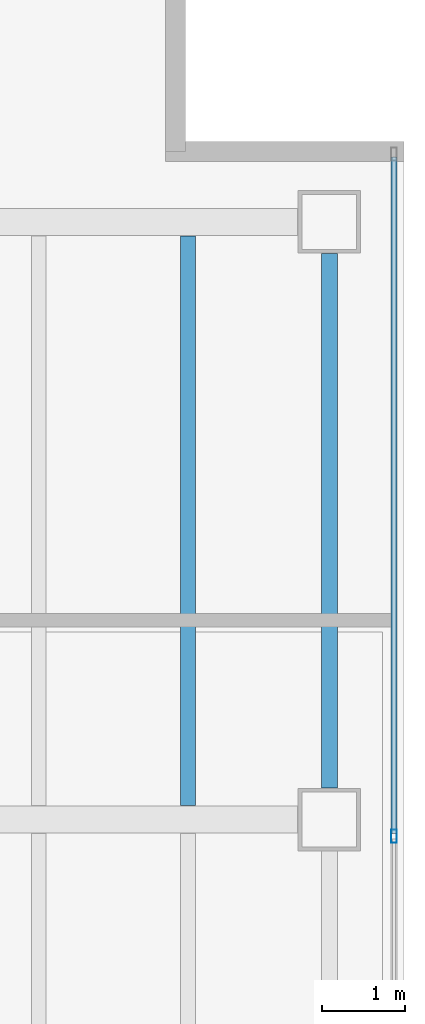
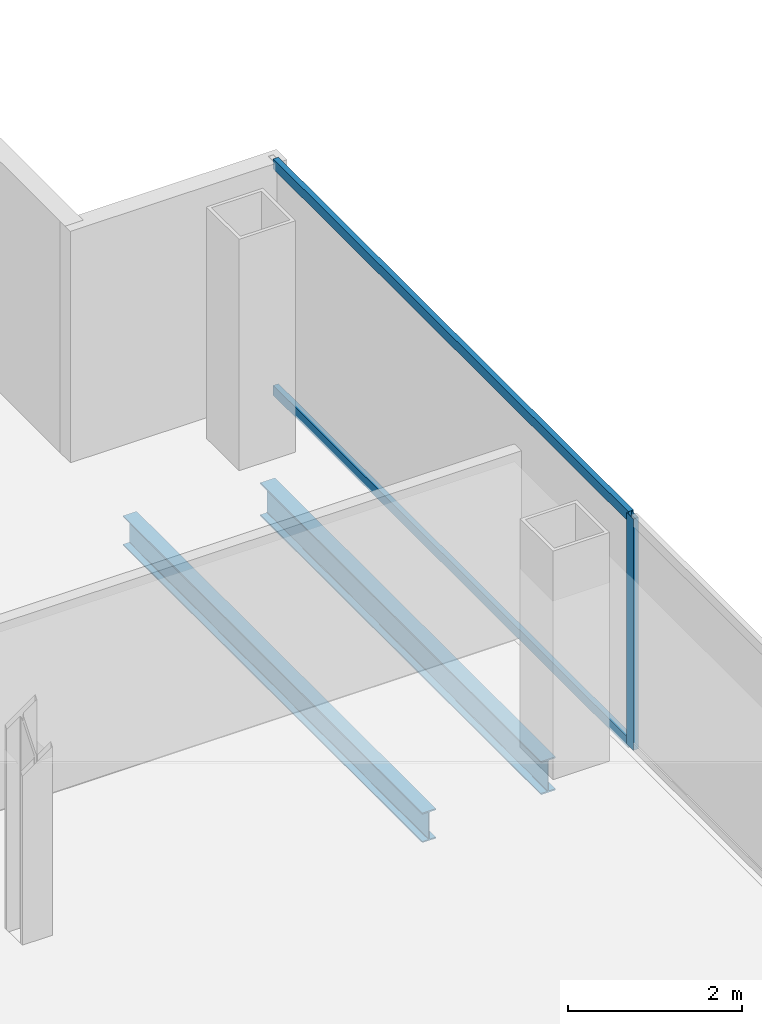
# One storey, part 14 of 23: 3 members, 2 beams, 1 element without a shape of its own.
"""IFC4 building model written with IfcOpenShell, lengths in metres."""

from ifc_helpers import new_model, si_unit, direction, frame, origin, origin_2d, place, context, subcontext, project, spatial, hollow_rectangle, i_section, extrude, material, material_profile, profile_set, type_object, element, aggregate, save


model = new_model("IFC4")

# Units and contexts
model_context = context("Model", 3, precision=1e-05, world=origin(), true_north=direction((0.0, 1.0)))
body_context = subcontext(model_context, "Body", "Model", "MODEL_VIEW")
ifc_project = project(units=[si_unit("LENGTHUNIT", "METRE"), si_unit("AREAUNIT", "SQUARE_METRE"), si_unit("VOLUMEUNIT", "CUBIC_METRE"), si_unit("PLANEANGLEUNIT", "RADIAN"), si_unit("MASSUNIT", "GRAM", prefix="KILO")], contexts=[model_context])

# Site, building, storey
site_placement = place(None, origin())
site = spatial("IfcSite", under=ifc_project, at=site_placement, CompositionType="ELEMENT")
building_placement = place(site_placement, origin())
building = spatial("IfcBuilding", under=site, at=building_placement, Name="Cobrela Telecom Tower", CompositionType="ELEMENT")
storey_placement = place(building_placement, frame((0.0, 0.0, 208.25)))
storey = spatial("IfcBuildingStorey", under=building, at=storey_placement, Name="L53", CompositionType="ELEMENT", Elevation=208.25)

# Beams
ifc_material_1 = material(Name="Steel ASTM A992 Grade 50", Category="steel")
ifc_material_profile_1 = material_profile(ifc_material_1, i_section(OverallWidth=0.179931640625, OverallDepth=0.4169921875, WebThickness=0.010986328125, FlangeThickness=0.01806640625, FilletRadius=0.011962890625, at=origin_2d()), Name="W16X57")
ifc_profile_set_1 = profile_set([ifc_material_profile_1], Name="Steel ASTM A992 Grade 50")
beam_type_1 = type_object("IfcBeamType", Name="BM-JOIST-04", PredefinedType="JOIST", material=ifc_profile_set_1)
beam_1_placement = place(storey_placement, frame((41.39990234375, 14.5673828125, -0.468505859375), z_axis=(0.0, 1.0, 0.0), x_axis=(-1.0, 0.0, 0.0)))
element("IfcBeam", 1, at=beam_1_placement, inside=storey, type_object=beam_type_1, Name="L53 Secondary Composite Floor Beam J30", PredefinedType="JOIST", context=body_context, shape_type="SweptSolid", body=[
    extrude(i_section(OverallWidth=0.179931640625, OverallDepth=0.4169921875, WebThickness=0.010986328125, FlangeThickness=0.01806640625, FilletRadius=0.011962890625, at=origin_2d()), origin(), (0.0, 0.0, 1.0), 6.865234375),
])
ifc_material_profile_2 = material_profile(ifc_material_1, i_section(OverallWidth=0.193115234375, OverallDepth=0.467041015625, WebThickness=0.011474609375, FlangeThickness=0.01904296875, FilletRadius=0.012939453125, at=origin_2d()), Name="W18X65")
ifc_profile_set_2 = profile_set([ifc_material_profile_2], Name="Steel ASTM A992 Grade 50")
beam_type_2 = type_object("IfcBeamType", Name="BM-SPAND-05", PredefinedType="SPANDREL", material=ifc_profile_set_2)
beam_2_placement = place(storey_placement, frame((43.10009765625, 14.780029296875, -0.493408203125), z_axis=(0.0, 1.0, 0.0), x_axis=(-1.0, 0.0, 0.0)))
element("IfcBeam", 2, at=beam_2_placement, inside=storey, type_object=beam_type_2, Name="L53 Perimeter Spandrel Y43", PredefinedType="SPANDREL", context=body_context, shape_type="SweptSolid", body=[
    extrude(i_section(OverallWidth=0.193115234375, OverallDepth=0.467041015625, WebThickness=0.011474609375, FlangeThickness=0.01904296875, FilletRadius=0.012939453125, at=origin_2d()), origin(), (0.0, 0.0, 1.0), 6.43994140625),
])

# Curtain wall, members
ifc_material_2 = material(Name="Anodized Bronze Aluminium 6063-T6", Category="aluminium")
curtain_wall_type = type_object("IfcCurtainWallType", Name="CW-SYS-OFF-LO", PredefinedType="USERDEFINED", material=ifc_material_2)
curtain_wall_placement = place(storey_placement, origin())
curtain_wall = element("IfcCurtainWall", 3, at=curtain_wall_placement, inside=storey, type_object=curtain_wall_type, Name="L53 Unitised Bronze Curtain Wall 14", ObjectType="UNITISED CURTAIN WALL", PredefinedType="USERDEFINED")
ifc_material_profile_3 = material_profile(ifc_material_2, hollow_rectangle(XDim=0.070068359375, YDim=0.159912109375, WallThickness=0.00390625, at=origin_2d()), Name="ALU 70x160x4")
ifc_profile_set_3 = profile_set([ifc_material_profile_3], Name="Anodized Bronze Aluminium 6063-T6")
member_type_1 = type_object("IfcMemberType", Name="CW-SYS-OFF-LO-MUL", PredefinedType="MULLION", material=ifc_profile_set_3)
member_1_placement = place(storey_placement, frame((43.8798828125, 14.199951171875, 0.0), z_axis=(0.0, 0.0, 1.0), x_axis=(1.0, 0.0, 0.0)))
member_1 = element("IfcMember", 4, at=member_1_placement, type_object=member_type_1, Name="CW-OFF-LO mullion 2", PredefinedType="MULLION", context=body_context, shape_type="SweptSolid", body=[
    extrude(hollow_rectangle(XDim=0.070068359375, YDim=0.159912109375, WallThickness=0.00390625, at=origin_2d()), origin(), (0.0, 0.0, 1.0), 3.239990234375),
])
ifc_material_profile_4 = material_profile(ifc_material_2, hollow_rectangle(XDim=0.070068359375, YDim=0.139892578125, WallThickness=0.00390625, at=origin_2d()), Name="ALU 70x140x4")
ifc_profile_set_4 = profile_set([ifc_material_profile_4], Name="Anodized Bronze Aluminium 6063-T6")
member_type_2 = type_object("IfcMemberType", Name="CW-SYS-OFF-LO-TRN", PredefinedType="USERDEFINED", material=ifc_profile_set_4)
member_2_placement = place(storey_placement, frame((43.8798828125, 22.3798828125, 0.034912109375), z_axis=(0.0, -1.0, 0.0), x_axis=(1.0, 0.0, 0.0)))
member_2 = element("IfcMember", 5, at=member_2_placement, type_object=member_type_2, Name="CW-OFF-LO transom 1.1", ObjectType="TRANSOM", PredefinedType="USERDEFINED", context=body_context, shape_type="SweptSolid", body=[
    extrude(hollow_rectangle(XDim=0.070068359375, YDim=0.139892578125, WallThickness=0.00390625, at=origin_2d()), origin(), (0.0, 0.0, 1.0), 8.144775390625),
])
member_3_placement = place(storey_placement, frame((43.8798828125, 22.3798828125, 3.205078125), z_axis=(0.0, -1.0, 0.0), x_axis=(1.0, 0.0, 0.0)))
member_3 = element("IfcMember", 6, at=member_3_placement, type_object=member_type_2, Name="CW-OFF-LO transom 1.2", ObjectType="TRANSOM", PredefinedType="USERDEFINED", context=body_context, shape_type="SweptSolid", body=[
    extrude(hollow_rectangle(XDim=0.070068359375, YDim=0.139892578125, WallThickness=0.00390625, at=origin_2d()), origin(), (0.0, 0.0, 1.0), 8.144775390625),
])
aggregate(curtain_wall, [member_1, member_2, member_3])

save(model, "model.ifc")
